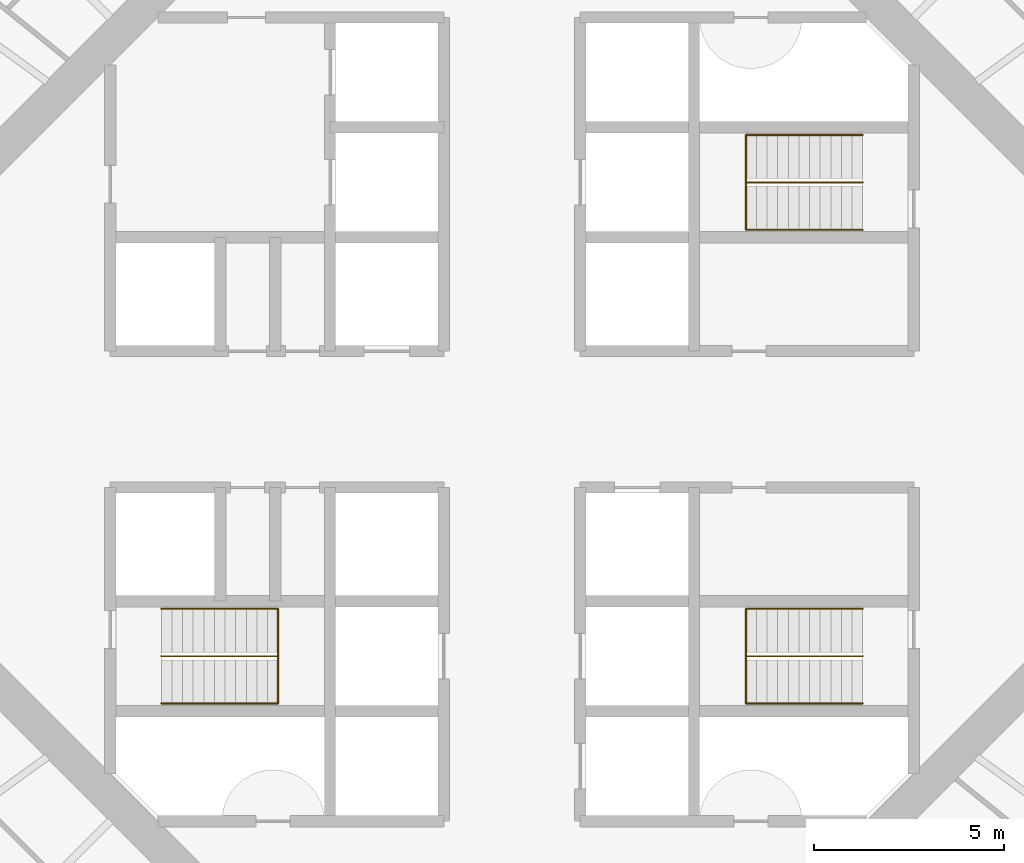
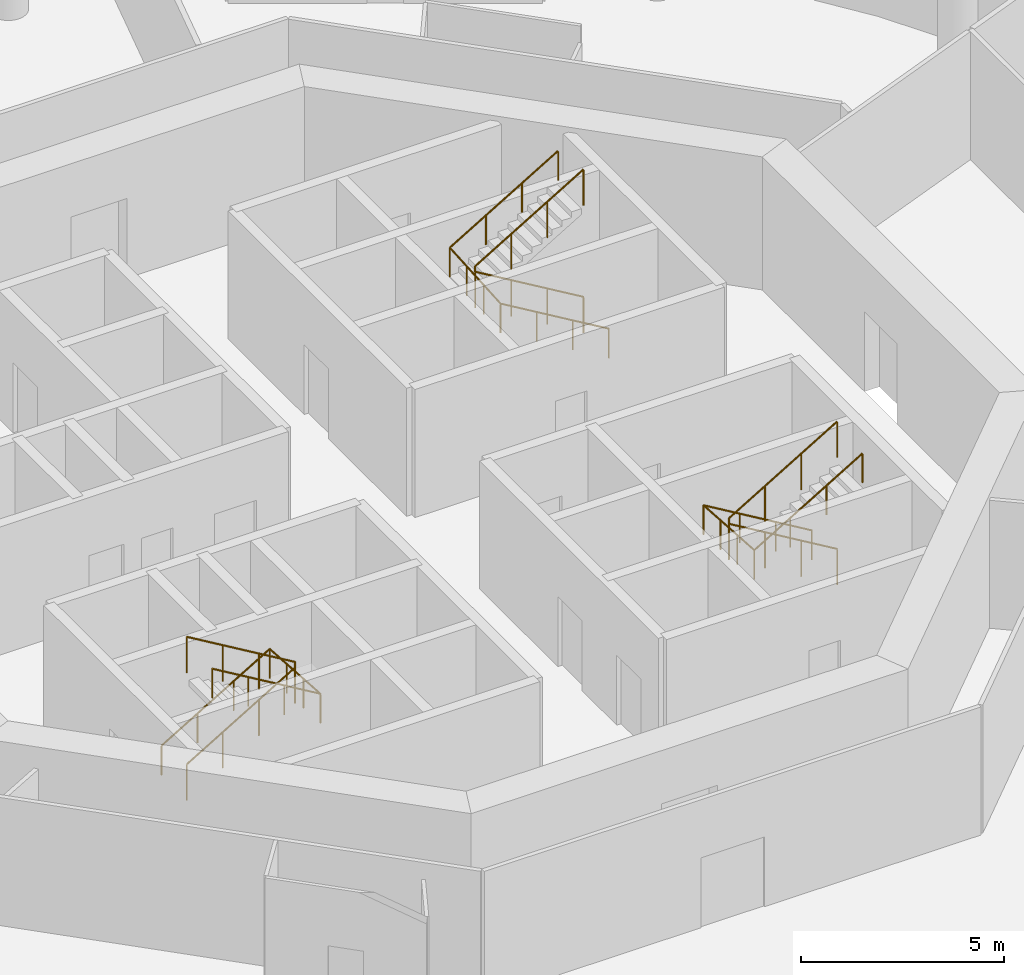
# One storey, part 12 of 12: 6 railings.
"""IFC4 building model written with IfcOpenShell, lengths in metres."""

from ifc_helpers import new_model, si_unit, direction, frame, origin, origin_2d, place, context, subcontext, project, spatial, circle, extrude, material, type_object, element, save


model = new_model("IFC4")

# Units and contexts
model_context = context("Model", 3, precision=1e-05, world=origin(), true_north=direction((0.0, 1.0)))
body_context = subcontext(model_context, "Body", "Model", "MODEL_VIEW")
ifc_project = project(units=[si_unit("LENGTHUNIT", "METRE"), si_unit("AREAUNIT", "SQUARE_METRE"), si_unit("VOLUMEUNIT", "CUBIC_METRE"), si_unit("PLANEANGLEUNIT", "RADIAN"), si_unit("MASSUNIT", "GRAM", prefix="KILO")], contexts=[model_context])

# Site, building, storey
site_placement = place(None, origin())
site = spatial("IfcSite", under=ifc_project, at=site_placement, CompositionType="ELEMENT")
building_placement = place(site_placement, origin())
building = spatial("IfcBuilding", under=site, at=building_placement, Name="Entoto Ring Tower", CompositionType="ELEMENT")
storey_placement = place(building_placement, frame((0.0, 0.0, 214.0)))
storey = spatial("IfcBuildingStorey", under=building, at=storey_placement, Name="L49", CompositionType="ELEMENT", Elevation=214.0)

# Railings
ifc_material_1 = material(Name="Steel S275", Category="steel")
railing_type_1 = type_object("IfcRailingType", Name="Stair guard 1100 mm steel", PredefinedType="GUARDRAIL", material=ifc_material_1)
railing_1_placement = place(storey_placement, frame((99.25, 86.25, 0.166748046875)))
element("IfcRailing", 1, at=railing_1_placement, inside=storey, type_object=railing_type_1, Name="Guard ST1", PredefinedType="GUARDRAIL", context=body_context, shape_type="SweptSolid", body=[
    extrude(circle(Radius=0.02392578125, at=origin_2d()), frame((0.0, 0.0, 1.076171875), z_axis=(-0.859308565015, 0.0, 0.511457515432), x_axis=(0.0, -1.0, 0.0)), (0.0, 0.0, 1.0), 3.58447265625),
    extrude(circle(Radius=0.02392578125, at=origin_2d()), frame((-3.080078125, 0.0, 2.9091796875), z_axis=(0.0, 0.0, 1.0), x_axis=(1.0, 0.0, 0.0)), (0.0, 0.0, 1.0), 0.166748046875),
    extrude(circle(Radius=0.02392578125, at=origin_2d()), frame((-3.080078125, 0.0, 3.076171875), z_axis=(0.859308565015, 0.0, 0.511457515432), x_axis=(0.0, 1.0, 0.0)), (0.0, 0.0, 1.0), 3.58447265625),
    extrude(circle(Radius=0.02099609375, at=origin_2d()), origin(), (0.0, 0.0, 1.0), 1.052001953125),
    extrude(circle(Radius=0.02099609375, at=origin_2d()), frame((-1.026611328125, 0.0, 0.611083984375)), (0.0, 0.0, 1.0), 1.052001953125),
    extrude(circle(Radius=0.02099609375, at=origin_2d()), frame((-2.053466796875, 0.0, 1.22216796875)), (0.0, 0.0, 1.0), 1.052001953125),
    extrude(circle(Radius=0.02099609375, at=origin_2d()), frame((-3.080078125, 0.0, 1.833251953125)), (0.0, 0.0, 1.0), 1.052001953125),
    extrude(circle(Radius=0.02099609375, at=origin_2d()), frame((-3.080078125, 0.0, 2.0)), (0.0, 0.0, 1.0), 1.052001953125),
    extrude(circle(Radius=0.02099609375, at=origin_2d()), frame((-2.053466796875, 0.0, 2.611083984375)), (0.0, 0.0, 1.0), 1.052001953125),
    extrude(circle(Radius=0.02099609375, at=origin_2d()), frame((-1.026611328125, 0.0, 3.22216796875)), (0.0, 0.0, 1.0), 1.052001953125),
    extrude(circle(Radius=0.02099609375, at=origin_2d()), frame((0.0, 0.0, 3.833251953125)), (0.0, 0.0, 1.0), 1.052001953125),
])
railing_2_placement = place(storey_placement, frame((80.75, 73.75, 0.166748046875)))
element("IfcRailing", 2, at=railing_2_placement, inside=storey, type_object=railing_type_1, Name="Guard ST2", PredefinedType="GUARDRAIL", context=body_context, shape_type="SweptSolid", body=[
    extrude(circle(Radius=0.02392578125, at=origin_2d()), frame((0.0, 0.0, 1.076171875), z_axis=(0.859308565015, 0.0, 0.511457515432), x_axis=(0.0, 1.0, 0.0)), (0.0, 0.0, 1.0), 3.58447265625),
    extrude(circle(Radius=0.02392578125, at=origin_2d()), frame((3.080078125, 0.0, 2.9091796875), z_axis=(0.0, 0.0, 1.0), x_axis=(1.0, 0.0, 0.0)), (0.0, 0.0, 1.0), 0.166748046875),
    extrude(circle(Radius=0.02392578125, at=origin_2d()), frame((3.080078125, 0.0, 3.076171875), z_axis=(-0.859308565015, 0.0, 0.511457515432), x_axis=(0.0, -1.0, 0.0)), (0.0, 0.0, 1.0), 3.58447265625),
    extrude(circle(Radius=0.02099609375, at=origin_2d()), origin(), (0.0, 0.0, 1.0), 1.052001953125),
    extrude(circle(Radius=0.02099609375, at=origin_2d()), frame((1.026611328125, 0.0, 0.611083984375)), (0.0, 0.0, 1.0), 1.052001953125),
    extrude(circle(Radius=0.02099609375, at=origin_2d()), frame((2.053466796875, 0.0, 1.22216796875)), (0.0, 0.0, 1.0), 1.052001953125),
    extrude(circle(Radius=0.02099609375, at=origin_2d()), frame((3.080078125, 0.0, 1.833251953125)), (0.0, 0.0, 1.0), 1.052001953125),
    extrude(circle(Radius=0.02099609375, at=origin_2d()), frame((3.080078125, 0.0, 2.0)), (0.0, 0.0, 1.0), 1.052001953125),
    extrude(circle(Radius=0.02099609375, at=origin_2d()), frame((2.053466796875, 0.0, 2.611083984375)), (0.0, 0.0, 1.0), 1.052001953125),
    extrude(circle(Radius=0.02099609375, at=origin_2d()), frame((1.026611328125, 0.0, 3.22216796875)), (0.0, 0.0, 1.0), 1.052001953125),
    extrude(circle(Radius=0.02099609375, at=origin_2d()), frame((0.0, 0.0, 3.833251953125)), (0.0, 0.0, 1.0), 1.052001953125),
])
railing_3_placement = place(storey_placement, frame((99.25, 73.75, 0.166748046875)))
element("IfcRailing", 3, at=railing_3_placement, inside=storey, type_object=railing_type_1, Name="Guard ST3", PredefinedType="GUARDRAIL", context=body_context, shape_type="SweptSolid", body=[
    extrude(circle(Radius=0.02392578125, at=origin_2d()), frame((0.0, 0.0, 1.076171875), z_axis=(-0.859308565015, 0.0, 0.511457515432), x_axis=(0.0, -1.0, 0.0)), (0.0, 0.0, 1.0), 3.58447265625),
    extrude(circle(Radius=0.02392578125, at=origin_2d()), frame((-3.080078125, 0.0, 2.9091796875), z_axis=(0.0, 0.0, 1.0), x_axis=(1.0, 0.0, 0.0)), (0.0, 0.0, 1.0), 0.166748046875),
    extrude(circle(Radius=0.02392578125, at=origin_2d()), frame((-3.080078125, 0.0, 3.076171875), z_axis=(0.859308565015, 0.0, 0.511457515432), x_axis=(0.0, 1.0, 0.0)), (0.0, 0.0, 1.0), 3.58447265625),
    extrude(circle(Radius=0.02099609375, at=origin_2d()), origin(), (0.0, 0.0, 1.0), 1.052001953125),
    extrude(circle(Radius=0.02099609375, at=origin_2d()), frame((-1.026611328125, 0.0, 0.611083984375)), (0.0, 0.0, 1.0), 1.052001953125),
    extrude(circle(Radius=0.02099609375, at=origin_2d()), frame((-2.053466796875, 0.0, 1.22216796875)), (0.0, 0.0, 1.0), 1.052001953125),
    extrude(circle(Radius=0.02099609375, at=origin_2d()), frame((-3.080078125, 0.0, 1.833251953125)), (0.0, 0.0, 1.0), 1.052001953125),
    extrude(circle(Radius=0.02099609375, at=origin_2d()), frame((-3.080078125, 0.0, 2.0)), (0.0, 0.0, 1.0), 1.052001953125),
    extrude(circle(Radius=0.02099609375, at=origin_2d()), frame((-2.053466796875, 0.0, 2.611083984375)), (0.0, 0.0, 1.0), 1.052001953125),
    extrude(circle(Radius=0.02099609375, at=origin_2d()), frame((-1.026611328125, 0.0, 3.22216796875)), (0.0, 0.0, 1.0), 1.052001953125),
    extrude(circle(Radius=0.02099609375, at=origin_2d()), frame((0.0, 0.0, 3.833251953125)), (0.0, 0.0, 1.0), 1.052001953125),
])
ifc_material_2 = material(Name="Steel S275", Category="steel")
railing_type_2 = type_object("IfcRailingType", Name="Stair handrail 900 mm steel", PredefinedType="HANDRAIL", material=ifc_material_2)
railing_4_placement = place(storey_placement, frame((99.25, 85.0, 0.166748046875)))
element("IfcRailing", 4, at=railing_4_placement, inside=storey, type_object=railing_type_2, Name="Handrail ST1", PredefinedType="HANDRAIL", context=body_context, shape_type="SweptSolid", body=[
    extrude(circle(Radius=0.02392578125, at=origin_2d()), frame((0.0, 0.0, 0.8759765625), z_axis=(-0.859308565015, 0.0, 0.511457515432), x_axis=(0.0, -1.0, 0.0)), (0.0, 0.0, 1.0), 3.58447265625),
    extrude(circle(Radius=0.02392578125, at=origin_2d()), frame((-3.080078125, 0.0, 2.708984375), z_axis=(0.0, 0.997783001586, 0.066551346688), x_axis=(-1.0, 0.0, 0.0)), (0.0, 0.0, 1.0), 2.505615234375),
    extrude(circle(Radius=0.02392578125, at=origin_2d()), frame((-3.080078125, 2.5, 2.8759765625), z_axis=(0.859308565015, 0.0, 0.511457515432), x_axis=(0.0, 1.0, 0.0)), (0.0, 0.0, 1.0), 3.58447265625),
    extrude(circle(Radius=0.02099609375, at=origin_2d()), origin(), (0.0, 0.0, 1.0), 0.851806640625),
    extrude(circle(Radius=0.02099609375, at=origin_2d()), frame((-1.026611328125, 0.0, 0.611083984375)), (0.0, 0.0, 1.0), 0.851806640625),
    extrude(circle(Radius=0.02099609375, at=origin_2d()), frame((-2.053466796875, 0.0, 1.22216796875)), (0.0, 0.0, 1.0), 0.851806640625),
    extrude(circle(Radius=0.02099609375, at=origin_2d()), frame((-3.080078125, 0.0, 1.833251953125)), (0.0, 0.0, 1.0), 0.851806640625),
    extrude(circle(Radius=0.02099609375, at=origin_2d()), frame((-3.080078125, 0.833251953125, 1.888916015625)), (0.0, 0.0, 1.0), 0.851806640625),
    extrude(circle(Radius=0.02099609375, at=origin_2d()), frame((-3.080078125, 1.666748046875, 1.9443359375)), (0.0, 0.0, 1.0), 0.851806640625),
    extrude(circle(Radius=0.02099609375, at=origin_2d()), frame((-3.080078125, 2.5, 2.0)), (0.0, 0.0, 1.0), 0.851806640625),
    extrude(circle(Radius=0.02099609375, at=origin_2d()), frame((-2.053466796875, 2.5, 2.611083984375)), (0.0, 0.0, 1.0), 0.851806640625),
    extrude(circle(Radius=0.02099609375, at=origin_2d()), frame((-1.026611328125, 2.5, 3.22216796875)), (0.0, 0.0, 1.0), 0.851806640625),
    extrude(circle(Radius=0.02099609375, at=origin_2d()), frame((0.0, 2.5, 3.833251953125)), (0.0, 0.0, 1.0), 0.851806640625),
])
railing_5_placement = place(storey_placement, frame((80.75, 75.0, 0.166748046875)))
element("IfcRailing", 5, at=railing_5_placement, inside=storey, type_object=railing_type_2, Name="Handrail ST2", PredefinedType="HANDRAIL", context=body_context, shape_type="SweptSolid", body=[
    extrude(circle(Radius=0.02392578125, at=origin_2d()), frame((0.0, 0.0, 0.8759765625), z_axis=(0.859308565015, 0.0, 0.511457515432), x_axis=(0.0, 1.0, 0.0)), (0.0, 0.0, 1.0), 3.58447265625),
    extrude(circle(Radius=0.02392578125, at=origin_2d()), frame((3.080078125, 0.0, 2.708984375), z_axis=(0.0, -0.997783001586, 0.066551346688), x_axis=(1.0, 0.0, 0.0)), (0.0, 0.0, 1.0), 2.505615234375),
    extrude(circle(Radius=0.02392578125, at=origin_2d()), frame((3.080078125, -2.5, 2.8759765625), z_axis=(-0.859308565015, 0.0, 0.511457515432), x_axis=(0.0, -1.0, 0.0)), (0.0, 0.0, 1.0), 3.58447265625),
    extrude(circle(Radius=0.02099609375, at=origin_2d()), origin(), (0.0, 0.0, 1.0), 0.851806640625),
    extrude(circle(Radius=0.02099609375, at=origin_2d()), frame((1.026611328125, 0.0, 0.611083984375)), (0.0, 0.0, 1.0), 0.851806640625),
    extrude(circle(Radius=0.02099609375, at=origin_2d()), frame((2.053466796875, 0.0, 1.22216796875)), (0.0, 0.0, 1.0), 0.851806640625),
    extrude(circle(Radius=0.02099609375, at=origin_2d()), frame((3.080078125, 0.0, 1.833251953125)), (0.0, 0.0, 1.0), 0.851806640625),
    extrude(circle(Radius=0.02099609375, at=origin_2d()), frame((3.080078125, -0.833251953125, 1.888916015625)), (0.0, 0.0, 1.0), 0.851806640625),
    extrude(circle(Radius=0.02099609375, at=origin_2d()), frame((3.080078125, -1.666748046875, 1.9443359375)), (0.0, 0.0, 1.0), 0.851806640625),
    extrude(circle(Radius=0.02099609375, at=origin_2d()), frame((3.080078125, -2.5, 2.0)), (0.0, 0.0, 1.0), 0.851806640625),
    extrude(circle(Radius=0.02099609375, at=origin_2d()), frame((2.053466796875, -2.5, 2.611083984375)), (0.0, 0.0, 1.0), 0.851806640625),
    extrude(circle(Radius=0.02099609375, at=origin_2d()), frame((1.026611328125, -2.5, 3.22216796875)), (0.0, 0.0, 1.0), 0.851806640625),
    extrude(circle(Radius=0.02099609375, at=origin_2d()), frame((0.0, -2.5, 3.833251953125)), (0.0, 0.0, 1.0), 0.851806640625),
])
railing_6_placement = place(storey_placement, frame((99.25, 75.0, 0.166748046875)))
element("IfcRailing", 6, at=railing_6_placement, inside=storey, type_object=railing_type_2, Name="Handrail ST3", PredefinedType="HANDRAIL", context=body_context, shape_type="SweptSolid", body=[
    extrude(circle(Radius=0.02392578125, at=origin_2d()), frame((0.0, 0.0, 0.8759765625), z_axis=(-0.859308565015, 0.0, 0.511457515432), x_axis=(0.0, -1.0, 0.0)), (0.0, 0.0, 1.0), 3.58447265625),
    extrude(circle(Radius=0.02392578125, at=origin_2d()), frame((-3.080078125, 0.0, 2.708984375), z_axis=(0.0, -0.997783001586, 0.066551346688), x_axis=(1.0, 0.0, 0.0)), (0.0, 0.0, 1.0), 2.505615234375),
    extrude(circle(Radius=0.02392578125, at=origin_2d()), frame((-3.080078125, -2.5, 2.8759765625), z_axis=(0.859308565015, 0.0, 0.511457515432), x_axis=(0.0, 1.0, 0.0)), (0.0, 0.0, 1.0), 3.58447265625),
    extrude(circle(Radius=0.02099609375, at=origin_2d()), origin(), (0.0, 0.0, 1.0), 0.851806640625),
    extrude(circle(Radius=0.02099609375, at=origin_2d()), frame((-1.026611328125, 0.0, 0.611083984375)), (0.0, 0.0, 1.0), 0.851806640625),
    extrude(circle(Radius=0.02099609375, at=origin_2d()), frame((-2.053466796875, 0.0, 1.22216796875)), (0.0, 0.0, 1.0), 0.851806640625),
    extrude(circle(Radius=0.02099609375, at=origin_2d()), frame((-3.080078125, 0.0, 1.833251953125)), (0.0, 0.0, 1.0), 0.851806640625),
    extrude(circle(Radius=0.02099609375, at=origin_2d()), frame((-3.080078125, -0.833251953125, 1.888916015625)), (0.0, 0.0, 1.0), 0.851806640625),
    extrude(circle(Radius=0.02099609375, at=origin_2d()), frame((-3.080078125, -1.666748046875, 1.9443359375)), (0.0, 0.0, 1.0), 0.851806640625),
    extrude(circle(Radius=0.02099609375, at=origin_2d()), frame((-3.080078125, -2.5, 2.0)), (0.0, 0.0, 1.0), 0.851806640625),
    extrude(circle(Radius=0.02099609375, at=origin_2d()), frame((-2.053466796875, -2.5, 2.611083984375)), (0.0, 0.0, 1.0), 0.851806640625),
    extrude(circle(Radius=0.02099609375, at=origin_2d()), frame((-1.026611328125, -2.5, 3.22216796875)), (0.0, 0.0, 1.0), 0.851806640625),
    extrude(circle(Radius=0.02099609375, at=origin_2d()), frame((0.0, -2.5, 3.833251953125)), (0.0, 0.0, 1.0), 0.851806640625),
])

save(model, "model.ifc")
